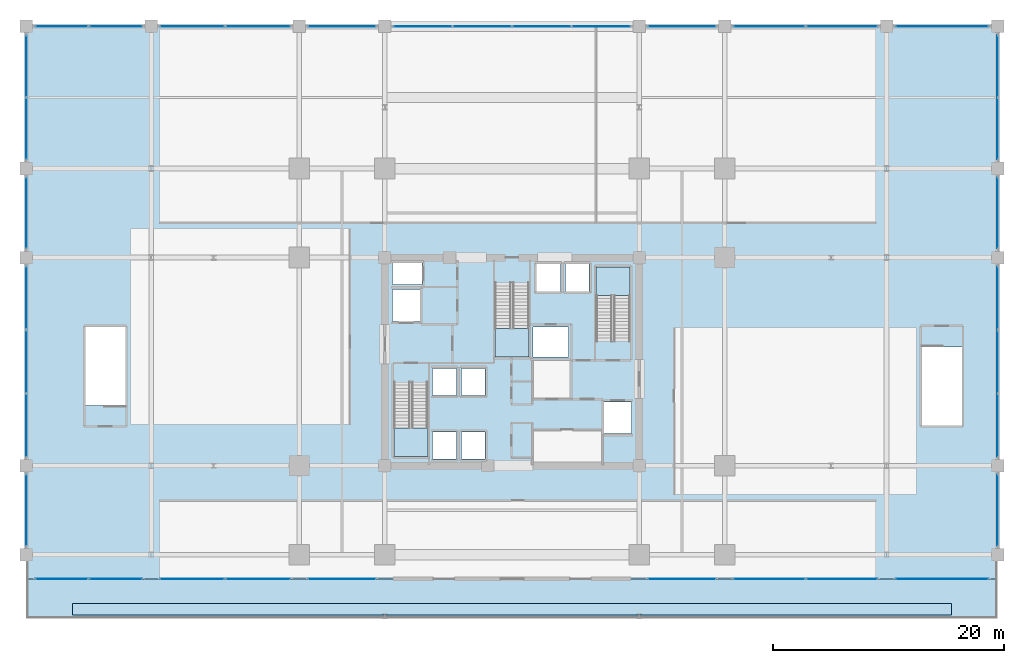
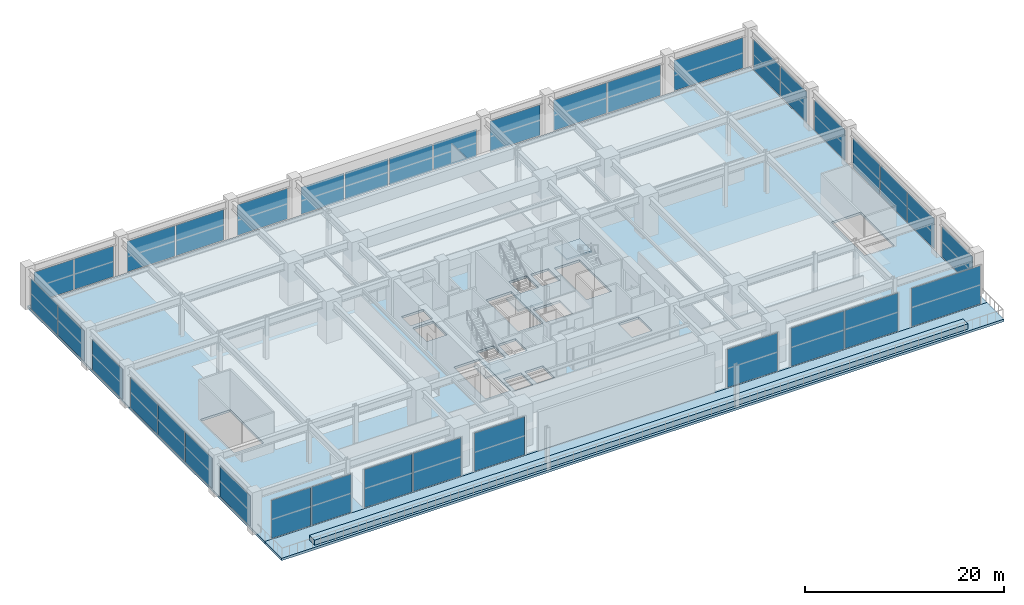
# One storey, part 29 of 35: 36 plates, 6 slabs, 24 elements without a shape of their own.
"""IFC4 building model written with IfcOpenShell, lengths in metres."""

from ifc_helpers import new_model, si_unit, direction, frame, origin, origin_2d, place, context, subcontext, project, spatial, polyline, rectangle, outline, extrude, material, layer, layer_set, type_object, element, aggregate, save


model = new_model("IFC4")

# Units and contexts
model_context = context("Model", 3, precision=1e-05, world=origin(), true_north=direction((0.0, 1.0)))
body_context = subcontext(model_context, "Body", "Model", "MODEL_VIEW")
ifc_project = project(units=[si_unit("LENGTHUNIT", "METRE"), si_unit("AREAUNIT", "SQUARE_METRE"), si_unit("VOLUMEUNIT", "CUBIC_METRE"), si_unit("PLANEANGLEUNIT", "RADIAN"), si_unit("MASSUNIT", "GRAM", prefix="KILO")], contexts=[model_context])

# Site, building, storey
site_placement = place(None, origin())
site = spatial("IfcSite", under=ifc_project, at=site_placement, CompositionType="ELEMENT")
building_placement = place(site_placement, origin())
building = spatial("IfcBuilding", under=site, at=building_placement, Name="Kovane Verandah Tower", CompositionType="ELEMENT")
storey_placement = place(building_placement, frame((0.0, 0.0, 16.39990234375)))
storey = spatial("IfcBuildingStorey", under=building, at=storey_placement, Name="L03", CompositionType="ELEMENT", Elevation=16.39990234375)

# Curtain wall, plates
ifc_material_1 = material(Name="Champagne Anodised Aluminium Frame with Low-E Clear Laminated Glass", Category="aluminium")
curtain_wall_type = type_object("IfcCurtainWallType", Name="CW-SYS-01-POD", PredefinedType="NOTDEFINED", material=ifc_material_1)
curtain_wall_1_placement = place(storey_placement, origin())
curtain_wall_1 = element("IfcCurtainWall", 1, at=curtain_wall_1_placement, inside=storey, type_object=curtain_wall_type, Name="L03 South Podium Curtain Wall Bay 1.1", PredefinedType="NOTDEFINED")
ifc_material_2 = material(Name="Clear Low-E Laminated Double Glazing", Category="glass")
ifc_layer_1 = layer(ifc_material_2, 0.031982421875)
ifc_layer_set_1 = layer_set([ifc_layer_1], Name="Clear Low-E Laminated Double Glazing")
plate_type = type_object("IfcPlateType", Name="PL-CW-VIS-32", PredefinedType="CURTAIN_PANEL", material=ifc_layer_set_1)
plate_1_placement = place(storey_placement, frame((1.06005859375, 8.699951171875, 0.10009765625), z_axis=(0.0, 0.0, 1.0), x_axis=(1.0, 0.0, 0.0)))
plate_1 = element("IfcPlate", 2, at=plate_1_placement, type_object=plate_type, Name="L03 South Podium Curtain Wall Bay 1.1 Full-Height Vision Panel 1", PredefinedType="CURTAIN_PANEL", context=body_context, shape_type="SweptSolid", body=[
    extrude(rectangle(XDim=4.5400390625, YDim=0.031982421875, at=origin_2d()), origin(), (0.0, 0.0, 1.0), 4.699951171875),
])
plate_2_placement = place(storey_placement, frame((5.739990234375, 8.699951171875, 0.10009765625), z_axis=(0.0, 0.0, 1.0), x_axis=(1.0, 0.0, 0.0)))
plate_2 = element("IfcPlate", 3, at=plate_2_placement, type_object=plate_type, Name="L03 South Podium Curtain Wall Bay 1.1 Full-Height Vision Panel 2", PredefinedType="CURTAIN_PANEL", context=body_context, shape_type="SweptSolid", body=[
    extrude(rectangle(XDim=4.5400390625, YDim=0.031982421875, at=origin_2d()), origin(), (0.0, 0.0, 1.0), 4.699951171875),
])
aggregate(curtain_wall_1, [plate_1, plate_2])

curtain_wall_2_placement = place(storey_placement, origin())
curtain_wall_2 = element("IfcCurtainWall", 4, at=curtain_wall_2_placement, inside=storey, type_object=curtain_wall_type, Name="L03 South Podium Curtain Wall Bay 2.1", PredefinedType="NOTDEFINED")
plate_3_placement = place(storey_placement, frame((12.360107421875, 8.699951171875, 0.10009765625), z_axis=(0.0, 0.0, 1.0), x_axis=(1.0, 0.0, 0.0)))
plate_3 = element("IfcPlate", 5, at=plate_3_placement, type_object=plate_type, Name="L03 South Podium Curtain Wall Bay 2.1 Full-Height Vision Panel 1", PredefinedType="CURTAIN_PANEL", context=body_context, shape_type="SweptSolid", body=[
    extrude(rectangle(XDim=5.5400390625, YDim=0.031982421875, at=origin_2d()), origin(), (0.0, 0.0, 1.0), 4.699951171875),
])
plate_4_placement = place(storey_placement, frame((18.0400390625, 8.699951171875, 0.10009765625), z_axis=(0.0, 0.0, 1.0), x_axis=(1.0, 0.0, 0.0)))
plate_4 = element("IfcPlate", 6, at=plate_4_placement, type_object=plate_type, Name="L03 South Podium Curtain Wall Bay 2.1 Full-Height Vision Panel 2", PredefinedType="CURTAIN_PANEL", context=body_context, shape_type="SweptSolid", body=[
    extrude(rectangle(XDim=5.5400390625, YDim=0.031982421875, at=origin_2d()), origin(), (0.0, 0.0, 1.0), 4.699951171875),
])
aggregate(curtain_wall_2, [plate_3, plate_4])

# Curtain wall, plate
curtain_wall_3_placement = place(storey_placement, origin())
curtain_wall_3 = element("IfcCurtainWall", 7, at=curtain_wall_3_placement, inside=storey, type_object=curtain_wall_type, Name="L03 South Podium Curtain Wall Bay 3.1", PredefinedType="NOTDEFINED")
plate_5_placement = place(storey_placement, frame((25.300048828125, 8.699951171875, 0.10009765625), z_axis=(0.0, 0.0, 1.0), x_axis=(1.0, 0.0, 0.0)))
plate_5 = element("IfcPlate", 8, at=plate_5_placement, type_object=plate_type, Name="L03 South Podium Curtain Wall Bay 3.1 Full-Height Vision Panel 1", PredefinedType="CURTAIN_PANEL", context=body_context, shape_type="SweptSolid", body=[
    extrude(rectangle(XDim=5.820068359375, YDim=0.031982421875, at=origin_2d()), origin(), (0.0, 0.0, 1.0), 4.699951171875),
])
aggregate(curtain_wall_3, [plate_5])

curtain_wall_4_placement = place(storey_placement, origin())
curtain_wall_4 = element("IfcCurtainWall", 9, at=curtain_wall_4_placement, inside=storey, type_object=curtain_wall_type, Name="L03 South Podium Curtain Wall Bay 5.1", PredefinedType="NOTDEFINED")
plate_6_placement = place(storey_placement, frame((54.699951171875, 8.699951171875, 0.10009765625), z_axis=(0.0, 0.0, 1.0), x_axis=(1.0, 0.0, 0.0)))
plate_6 = element("IfcPlate", 10, at=plate_6_placement, type_object=plate_type, Name="L03 South Podium Curtain Wall Bay 5.1 Full-Height Vision Panel 1", PredefinedType="CURTAIN_PANEL", context=body_context, shape_type="SweptSolid", body=[
    extrude(rectangle(XDim=5.820068359375, YDim=0.031982421875, at=origin_2d()), origin(), (0.0, 0.0, 1.0), 4.699951171875),
])
aggregate(curtain_wall_4, [plate_6])

# Curtain wall, plates
curtain_wall_5_placement = place(storey_placement, origin())
curtain_wall_5 = element("IfcCurtainWall", 11, at=curtain_wall_5_placement, inside=storey, type_object=curtain_wall_type, Name="L03 South Podium Curtain Wall Bay 6.1", PredefinedType="NOTDEFINED")
plate_7_placement = place(storey_placement, frame((62.260009765625, 8.699951171875, 0.10009765625), z_axis=(0.0, 0.0, 1.0), x_axis=(1.0, 0.0, 0.0)))
plate_7 = element("IfcPlate", 12, at=plate_7_placement, type_object=plate_type, Name="L03 South Podium Curtain Wall Bay 6.1 Full-Height Vision Panel 1", PredefinedType="CURTAIN_PANEL", context=body_context, shape_type="SweptSolid", body=[
    extrude(rectangle(XDim=6.139892578125, YDim=0.031982421875, at=origin_2d()), origin(), (0.0, 0.0, 1.0), 4.699951171875),
])
plate_8_placement = place(storey_placement, frame((68.5400390625, 8.699951171875, 0.10009765625), z_axis=(0.0, 0.0, 1.0), x_axis=(1.0, 0.0, 0.0)))
plate_8 = element("IfcPlate", 13, at=plate_8_placement, type_object=plate_type, Name="L03 South Podium Curtain Wall Bay 6.1 Full-Height Vision Panel 2", PredefinedType="CURTAIN_PANEL", context=body_context, shape_type="SweptSolid", body=[
    extrude(rectangle(XDim=6.139892578125, YDim=0.031982421875, at=origin_2d()), origin(), (0.0, 0.0, 1.0), 4.699951171875),
])
aggregate(curtain_wall_5, [plate_7, plate_8])

# Curtain wall, plate
curtain_wall_6_placement = place(storey_placement, origin())
curtain_wall_6 = element("IfcCurtainWall", 14, at=curtain_wall_6_placement, inside=storey, type_object=curtain_wall_type, Name="L03 South Podium Curtain Wall Bay 7.1", PredefinedType="NOTDEFINED")
plate_9_placement = place(storey_placement, frame((77.199951171875, 8.699951171875, 0.10009765625), z_axis=(0.0, 0.0, 1.0), x_axis=(1.0, 0.0, 0.0)))
plate_9 = element("IfcPlate", 15, at=plate_9_placement, type_object=plate_type, Name="L03 South Podium Curtain Wall Bay 7.1 Full-Height Vision Panel 1", PredefinedType="CURTAIN_PANEL", context=body_context, shape_type="SweptSolid", body=[
    extrude(rectangle(XDim=8.02001953125, YDim=0.031982421875, at=origin_2d()), origin(), (0.0, 0.0, 1.0), 4.699951171875),
])
aggregate(curtain_wall_6, [plate_9])

# Curtain wall, plates
curtain_wall_7_placement = place(storey_placement, origin())
curtain_wall_7 = element("IfcCurtainWall", 16, at=curtain_wall_7_placement, inside=storey, type_object=curtain_wall_type, Name="L03 North Podium Curtain Wall Bay 1", PredefinedType="NOTDEFINED")
plate_10_placement = place(storey_placement, frame((5.739990234375, 56.5, 0.10009765625), z_axis=(0.0, 0.0, 1.0), x_axis=(-1.0, 0.0, 0.0)))
plate_10 = element("IfcPlate", 17, at=plate_10_placement, type_object=plate_type, Name="L03 North Podium Curtain Wall Bay 1 Full-Height Vision Panel 1", PredefinedType="CURTAIN_PANEL", context=body_context, shape_type="SweptSolid", body=[
    extrude(rectangle(XDim=4.5400390625, YDim=0.031982421875, at=origin_2d()), origin(), (0.0, 0.0, 1.0), 3.759033203125),
])
plate_11_placement = place(storey_placement, frame((1.06005859375, 56.5, 0.10009765625), z_axis=(0.0, 0.0, 1.0), x_axis=(-1.0, 0.0, 0.0)))
plate_11 = element("IfcPlate", 18, at=plate_11_placement, type_object=plate_type, Name="L03 North Podium Curtain Wall Bay 1 Full-Height Vision Panel 2", PredefinedType="CURTAIN_PANEL", context=body_context, shape_type="SweptSolid", body=[
    extrude(rectangle(XDim=4.5400390625, YDim=0.031982421875, at=origin_2d()), origin(), (0.0, 0.0, 1.0), 3.759033203125),
])
aggregate(curtain_wall_7, [plate_10, plate_11])

curtain_wall_8_placement = place(storey_placement, origin())
curtain_wall_8 = element("IfcCurtainWall", 19, at=curtain_wall_8_placement, inside=storey, type_object=curtain_wall_type, Name="L03 North Podium Curtain Wall Bay 2", PredefinedType="NOTDEFINED")
plate_12_placement = place(storey_placement, frame((18.0400390625, 56.5, 0.10009765625), z_axis=(0.0, 0.0, 1.0), x_axis=(-1.0, 0.0, 0.0)))
plate_12 = element("IfcPlate", 20, at=plate_12_placement, type_object=plate_type, Name="L03 North Podium Curtain Wall Bay 2 Full-Height Vision Panel 1", PredefinedType="CURTAIN_PANEL", context=body_context, shape_type="SweptSolid", body=[
    extrude(rectangle(XDim=5.5400390625, YDim=0.031982421875, at=origin_2d()), origin(), (0.0, 0.0, 1.0), 3.759033203125),
])
plate_13_placement = place(storey_placement, frame((12.360107421875, 56.5, 0.10009765625), z_axis=(0.0, 0.0, 1.0), x_axis=(-1.0, 0.0, 0.0)))
plate_13 = element("IfcPlate", 21, at=plate_13_placement, type_object=plate_type, Name="L03 North Podium Curtain Wall Bay 2 Full-Height Vision Panel 2", PredefinedType="CURTAIN_PANEL", context=body_context, shape_type="SweptSolid", body=[
    extrude(rectangle(XDim=5.5400390625, YDim=0.031982421875, at=origin_2d()), origin(), (0.0, 0.0, 1.0), 3.759033203125),
])
aggregate(curtain_wall_8, [plate_12, plate_13])

# Curtain wall, plate
curtain_wall_9_placement = place(storey_placement, origin())
curtain_wall_9 = element("IfcCurtainWall", 22, at=curtain_wall_9_placement, inside=storey, type_object=curtain_wall_type, Name="L03 North Podium Curtain Wall Bay 3", PredefinedType="NOTDEFINED")
plate_14_placement = place(storey_placement, frame((25.300048828125, 56.5, 0.10009765625), z_axis=(0.0, 0.0, 1.0), x_axis=(-1.0, 0.0, 0.0)))
plate_14 = element("IfcPlate", 23, at=plate_14_placement, type_object=plate_type, Name="L03 North Podium Curtain Wall Bay 3 Full-Height Vision Panel 1", PredefinedType="CURTAIN_PANEL", context=body_context, shape_type="SweptSolid", body=[
    extrude(rectangle(XDim=5.820068359375, YDim=0.031982421875, at=origin_2d()), origin(), (0.0, 0.0, 1.0), 3.759033203125),
])
aggregate(curtain_wall_9, [plate_14])

# Curtain wall, plates
curtain_wall_10_placement = place(storey_placement, origin())
curtain_wall_10 = element("IfcCurtainWall", 24, at=curtain_wall_10_placement, inside=storey, type_object=curtain_wall_type, Name="L03 North Podium Curtain Wall Bay 4", PredefinedType="NOTDEFINED")
plate_15_placement = place(storey_placement, frame((47.7099609375, 56.5, 0.10009765625), z_axis=(0.0, 0.0, 1.0), x_axis=(-1.0, 0.0, 0.0)))
plate_15 = element("IfcPlate", 25, at=plate_15_placement, type_object=plate_type, Name="L03 North Podium Curtain Wall Bay 4 Full-Height Vision Panel 1", PredefinedType="CURTAIN_PANEL", context=body_context, shape_type="SweptSolid", body=[
    extrude(rectangle(XDim=5.0, YDim=0.031982421875, at=origin_2d()), origin(), (0.0, 0.0, 1.0), 3.330078125),
])
plate_16_placement = place(storey_placement, frame((42.570068359375, 56.5, 0.10009765625), z_axis=(0.0, 0.0, 1.0), x_axis=(-1.0, 0.0, 0.0)))
plate_16 = element("IfcPlate", 26, at=plate_16_placement, type_object=plate_type, Name="L03 North Podium Curtain Wall Bay 4 Full-Height Vision Panel 2", PredefinedType="CURTAIN_PANEL", context=body_context, shape_type="SweptSolid", body=[
    extrude(rectangle(XDim=5.0, YDim=0.031982421875, at=origin_2d()), origin(), (0.0, 0.0, 1.0), 3.330078125),
])
plate_17_placement = place(storey_placement, frame((37.429931640625, 56.5, 0.10009765625), z_axis=(0.0, 0.0, 1.0), x_axis=(-1.0, 0.0, 0.0)))
plate_17 = element("IfcPlate", 27, at=plate_17_placement, type_object=plate_type, Name="L03 North Podium Curtain Wall Bay 4 Full-Height Vision Panel 3", PredefinedType="CURTAIN_PANEL", context=body_context, shape_type="SweptSolid", body=[
    extrude(rectangle(XDim=5.0, YDim=0.031982421875, at=origin_2d()), origin(), (0.0, 0.0, 1.0), 3.330078125),
])
plate_18_placement = place(storey_placement, frame((32.2900390625, 56.5, 0.10009765625), z_axis=(0.0, 0.0, 1.0), x_axis=(-1.0, 0.0, 0.0)))
plate_18 = element("IfcPlate", 28, at=plate_18_placement, type_object=plate_type, Name="L03 North Podium Curtain Wall Bay 4 Full-Height Vision Panel 4", PredefinedType="CURTAIN_PANEL", context=body_context, shape_type="SweptSolid", body=[
    extrude(rectangle(XDim=5.0, YDim=0.031982421875, at=origin_2d()), origin(), (0.0, 0.0, 1.0), 3.330078125),
])
aggregate(curtain_wall_10, [plate_15, plate_16, plate_17, plate_18])

# Curtain wall, plate
curtain_wall_11_placement = place(storey_placement, origin())
curtain_wall_11 = element("IfcCurtainWall", 29, at=curtain_wall_11_placement, inside=storey, type_object=curtain_wall_type, Name="L03 North Podium Curtain Wall Bay 5", PredefinedType="NOTDEFINED")
plate_19_placement = place(storey_placement, frame((54.699951171875, 56.5, 0.10009765625), z_axis=(0.0, 0.0, 1.0), x_axis=(-1.0, 0.0, 0.0)))
plate_19 = element("IfcPlate", 30, at=plate_19_placement, type_object=plate_type, Name="L03 North Podium Curtain Wall Bay 5 Full-Height Vision Panel 1", PredefinedType="CURTAIN_PANEL", context=body_context, shape_type="SweptSolid", body=[
    extrude(rectangle(XDim=5.820068359375, YDim=0.031982421875, at=origin_2d()), origin(), (0.0, 0.0, 1.0), 3.759033203125),
])
aggregate(curtain_wall_11, [plate_19])

# Curtain wall, plates
curtain_wall_12_placement = place(storey_placement, origin())
curtain_wall_12 = element("IfcCurtainWall", 31, at=curtain_wall_12_placement, inside=storey, type_object=curtain_wall_type, Name="L03 North Podium Curtain Wall Bay 6", PredefinedType="NOTDEFINED")
plate_20_placement = place(storey_placement, frame((68.5400390625, 56.5, 0.10009765625), z_axis=(0.0, 0.0, 1.0), x_axis=(-1.0, 0.0, 0.0)))
plate_20 = element("IfcPlate", 32, at=plate_20_placement, type_object=plate_type, Name="L03 North Podium Curtain Wall Bay 6 Full-Height Vision Panel 1", PredefinedType="CURTAIN_PANEL", context=body_context, shape_type="SweptSolid", body=[
    extrude(rectangle(XDim=6.139892578125, YDim=0.031982421875, at=origin_2d()), origin(), (0.0, 0.0, 1.0), 3.759033203125),
])
plate_21_placement = place(storey_placement, frame((62.260009765625, 56.5, 0.10009765625), z_axis=(0.0, 0.0, 1.0), x_axis=(-1.0, 0.0, 0.0)))
plate_21 = element("IfcPlate", 33, at=plate_21_placement, type_object=plate_type, Name="L03 North Podium Curtain Wall Bay 6 Full-Height Vision Panel 2", PredefinedType="CURTAIN_PANEL", context=body_context, shape_type="SweptSolid", body=[
    extrude(rectangle(XDim=6.139892578125, YDim=0.031982421875, at=origin_2d()), origin(), (0.0, 0.0, 1.0), 3.759033203125),
])
aggregate(curtain_wall_12, [plate_20, plate_21])

# Curtain wall, plate
curtain_wall_13_placement = place(storey_placement, origin())
curtain_wall_13 = element("IfcCurtainWall", 34, at=curtain_wall_13_placement, inside=storey, type_object=curtain_wall_type, Name="L03 North Podium Curtain Wall Bay 7", PredefinedType="NOTDEFINED")
plate_22_placement = place(storey_placement, frame((77.199951171875, 56.5, 0.10009765625), z_axis=(0.0, 0.0, 1.0), x_axis=(-1.0, 0.0, 0.0)))
plate_22 = element("IfcPlate", 35, at=plate_22_placement, type_object=plate_type, Name="L03 North Podium Curtain Wall Bay 7 Full-Height Vision Panel 1", PredefinedType="CURTAIN_PANEL", context=body_context, shape_type="SweptSolid", body=[
    extrude(rectangle(XDim=8.02001953125, YDim=0.031982421875, at=origin_2d()), origin(), (0.0, 0.0, 1.0), 3.759033203125),
])
aggregate(curtain_wall_13, [plate_22])

curtain_wall_14_placement = place(storey_placement, origin())
curtain_wall_14 = element("IfcCurtainWall", 36, at=curtain_wall_14_placement, inside=storey, type_object=curtain_wall_type, Name="L03 West Podium Curtain Wall Bay 2", PredefinedType="NOTDEFINED")
plate_23_placement = place(storey_placement, frame((-2.0, 14.64990234375, 0.10009765625), z_axis=(0.0, 0.0, 1.0), x_axis=(0.0, -1.0, 0.0)))
plate_23 = element("IfcPlate", 37, at=plate_23_placement, type_object=plate_type, Name="L03 West Podium Curtain Wall Bay 2 Full-Height Vision Panel 1", PredefinedType="CURTAIN_PANEL", context=body_context, shape_type="SweptSolid", body=[
    extrude(rectangle(XDim=6.1201171875, YDim=0.031982421875, at=origin_2d()), origin(), (0.0, 0.0, 1.0), 3.759033203125),
])
aggregate(curtain_wall_14, [plate_23])

curtain_wall_15_placement = place(storey_placement, origin())
curtain_wall_15 = element("IfcCurtainWall", 38, at=curtain_wall_15_placement, inside=storey, type_object=curtain_wall_type, Name="L03 East Podium Curtain Wall Bay 2", PredefinedType="NOTDEFINED")
plate_24_placement = place(storey_placement, frame((82.0, 14.64990234375, 0.10009765625), z_axis=(0.0, 0.0, 1.0), x_axis=(0.0, 1.0, 0.0)))
plate_24 = element("IfcPlate", 39, at=plate_24_placement, type_object=plate_type, Name="L03 East Podium Curtain Wall Bay 2 Full-Height Vision Panel 1", PredefinedType="CURTAIN_PANEL", context=body_context, shape_type="SweptSolid", body=[
    extrude(rectangle(XDim=6.1201171875, YDim=0.031982421875, at=origin_2d()), origin(), (0.0, 0.0, 1.0), 3.759033203125),
])
aggregate(curtain_wall_15, [plate_24])

# Curtain wall, plates
curtain_wall_16_placement = place(storey_placement, origin())
curtain_wall_16 = element("IfcCurtainWall", 40, at=curtain_wall_16_placement, inside=storey, type_object=curtain_wall_type, Name="L03 West Podium Curtain Wall Bay 3", PredefinedType="NOTDEFINED")
plate_25_placement = place(storey_placement, frame((-2.0, 33.02001953125, 0.10009765625), z_axis=(0.0, 0.0, 1.0), x_axis=(0.0, -1.0, 0.0)))
plate_25 = element("IfcPlate", 41, at=plate_25_placement, type_object=plate_type, Name="L03 West Podium Curtain Wall Bay 3 Full-Height Vision Panel 1", PredefinedType="CURTAIN_PANEL", context=body_context, shape_type="SweptSolid", body=[
    extrude(rectangle(XDim=5.3798828125, YDim=0.031982421875, at=origin_2d()), origin(), (0.0, 0.0, 1.0), 3.759033203125),
])
plate_26_placement = place(storey_placement, frame((-2.0, 27.5, 0.10009765625), z_axis=(0.0, 0.0, 1.0), x_axis=(0.0, -1.0, 0.0)))
plate_26 = element("IfcPlate", 42, at=plate_26_placement, type_object=plate_type, Name="L03 West Podium Curtain Wall Bay 3 Full-Height Vision Panel 2", PredefinedType="CURTAIN_PANEL", context=body_context, shape_type="SweptSolid", body=[
    extrude(rectangle(XDim=5.3798828125, YDim=0.031982421875, at=origin_2d()), origin(), (0.0, 0.0, 1.0), 3.759033203125),
])
plate_27_placement = place(storey_placement, frame((-2.0, 21.97998046875, 0.10009765625), z_axis=(0.0, 0.0, 1.0), x_axis=(0.0, -1.0, 0.0)))
plate_27 = element("IfcPlate", 43, at=plate_27_placement, type_object=plate_type, Name="L03 West Podium Curtain Wall Bay 3 Full-Height Vision Panel 3", PredefinedType="CURTAIN_PANEL", context=body_context, shape_type="SweptSolid", body=[
    extrude(rectangle(XDim=5.3798828125, YDim=0.031982421875, at=origin_2d()), origin(), (0.0, 0.0, 1.0), 3.759033203125),
])
aggregate(curtain_wall_16, [plate_25, plate_26, plate_27])

curtain_wall_17_placement = place(storey_placement, origin())
curtain_wall_17 = element("IfcCurtainWall", 44, at=curtain_wall_17_placement, inside=storey, type_object=curtain_wall_type, Name="L03 East Podium Curtain Wall Bay 3", PredefinedType="NOTDEFINED")
plate_28_placement = place(storey_placement, frame((82.0, 21.97998046875, 0.10009765625), z_axis=(0.0, 0.0, 1.0), x_axis=(0.0, 1.0, 0.0)))
plate_28 = element("IfcPlate", 45, at=plate_28_placement, type_object=plate_type, Name="L03 East Podium Curtain Wall Bay 3 Full-Height Vision Panel 1", PredefinedType="CURTAIN_PANEL", context=body_context, shape_type="SweptSolid", body=[
    extrude(rectangle(XDim=5.3798828125, YDim=0.031982421875, at=origin_2d()), origin(), (0.0, 0.0, 1.0), 3.759033203125),
])
plate_29_placement = place(storey_placement, frame((82.0, 27.5, 0.10009765625), z_axis=(0.0, 0.0, 1.0), x_axis=(0.0, 1.0, 0.0)))
plate_29 = element("IfcPlate", 46, at=plate_29_placement, type_object=plate_type, Name="L03 East Podium Curtain Wall Bay 3 Full-Height Vision Panel 2", PredefinedType="CURTAIN_PANEL", context=body_context, shape_type="SweptSolid", body=[
    extrude(rectangle(XDim=5.3798828125, YDim=0.031982421875, at=origin_2d()), origin(), (0.0, 0.0, 1.0), 3.759033203125),
])
plate_30_placement = place(storey_placement, frame((82.0, 33.02001953125, 0.10009765625), z_axis=(0.0, 0.0, 1.0), x_axis=(0.0, 1.0, 0.0)))
plate_30 = element("IfcPlate", 47, at=plate_30_placement, type_object=plate_type, Name="L03 East Podium Curtain Wall Bay 3 Full-Height Vision Panel 3", PredefinedType="CURTAIN_PANEL", context=body_context, shape_type="SweptSolid", body=[
    extrude(rectangle(XDim=5.3798828125, YDim=0.031982421875, at=origin_2d()), origin(), (0.0, 0.0, 1.0), 3.759033203125),
])
aggregate(curtain_wall_17, [plate_28, plate_29, plate_30])

# Curtain wall, plate
curtain_wall_18_placement = place(storey_placement, origin())
curtain_wall_18 = element("IfcCurtainWall", 48, at=curtain_wall_18_placement, inside=storey, type_object=curtain_wall_type, Name="L03 West Podium Curtain Wall Bay 4", PredefinedType="NOTDEFINED")
plate_31_placement = place(storey_placement, frame((-2.0, 40.35009765625, 0.10009765625), z_axis=(0.0, 0.0, 1.0), x_axis=(0.0, -1.0, 0.0)))
plate_31 = element("IfcPlate", 49, at=plate_31_placement, type_object=plate_type, Name="L03 West Podium Curtain Wall Bay 4 Full-Height Vision Panel 1", PredefinedType="CURTAIN_PANEL", context=body_context, shape_type="SweptSolid", body=[
    extrude(rectangle(XDim=6.1201171875, YDim=0.031982421875, at=origin_2d()), origin(), (0.0, 0.0, 1.0), 3.759033203125),
])
aggregate(curtain_wall_18, [plate_31])

curtain_wall_19_placement = place(storey_placement, origin())
curtain_wall_19 = element("IfcCurtainWall", 50, at=curtain_wall_19_placement, inside=storey, type_object=curtain_wall_type, Name="L03 East Podium Curtain Wall Bay 4", PredefinedType="NOTDEFINED")
plate_32_placement = place(storey_placement, frame((82.0, 40.35009765625, 0.10009765625), z_axis=(0.0, 0.0, 1.0), x_axis=(0.0, 1.0, 0.0)))
plate_32 = element("IfcPlate", 51, at=plate_32_placement, type_object=plate_type, Name="L03 East Podium Curtain Wall Bay 4 Full-Height Vision Panel 1", PredefinedType="CURTAIN_PANEL", context=body_context, shape_type="SweptSolid", body=[
    extrude(rectangle(XDim=6.1201171875, YDim=0.031982421875, at=origin_2d()), origin(), (0.0, 0.0, 1.0), 3.759033203125),
])
aggregate(curtain_wall_19, [plate_32])

# Curtain wall, plates
curtain_wall_20_placement = place(storey_placement, origin())
curtain_wall_20 = element("IfcCurtainWall", 52, at=curtain_wall_20_placement, inside=storey, type_object=curtain_wall_type, Name="L03 West Podium Curtain Wall Bay 5", PredefinedType="NOTDEFINED")
plate_33_placement = place(storey_placement, frame((-2.0, 53.06494140625, 0.10009765625), z_axis=(0.0, 0.0, 1.0), x_axis=(0.0, -1.0, 0.0)))
plate_33 = element("IfcPlate", 53, at=plate_33_placement, type_object=plate_type, Name="L03 West Podium Curtain Wall Bay 5 Full-Height Vision Panel 1", PredefinedType="CURTAIN_PANEL", context=body_context, shape_type="SweptSolid", body=[
    extrude(rectangle(XDim=5.2900390625, YDim=0.031982421875, at=origin_2d()), origin(), (0.0, 0.0, 1.0), 3.759033203125),
])
plate_34_placement = place(storey_placement, frame((-2.0, 47.635009765625, 0.10009765625), z_axis=(0.0, 0.0, 1.0), x_axis=(0.0, -1.0, 0.0)))
plate_34 = element("IfcPlate", 54, at=plate_34_placement, type_object=plate_type, Name="L03 West Podium Curtain Wall Bay 5 Full-Height Vision Panel 2", PredefinedType="CURTAIN_PANEL", context=body_context, shape_type="SweptSolid", body=[
    extrude(rectangle(XDim=5.2900390625, YDim=0.031982421875, at=origin_2d()), origin(), (0.0, 0.0, 1.0), 3.759033203125),
])
aggregate(curtain_wall_20, [plate_33, plate_34])

curtain_wall_21_placement = place(storey_placement, origin())
curtain_wall_21 = element("IfcCurtainWall", 55, at=curtain_wall_21_placement, inside=storey, type_object=curtain_wall_type, Name="L03 East Podium Curtain Wall Bay 5", PredefinedType="NOTDEFINED")
plate_35_placement = place(storey_placement, frame((82.0, 47.635009765625, 0.10009765625), z_axis=(0.0, 0.0, 1.0), x_axis=(0.0, 1.0, 0.0)))
plate_35 = element("IfcPlate", 56, at=plate_35_placement, type_object=plate_type, Name="L03 East Podium Curtain Wall Bay 5 Full-Height Vision Panel 1", PredefinedType="CURTAIN_PANEL", context=body_context, shape_type="SweptSolid", body=[
    extrude(rectangle(XDim=5.2900390625, YDim=0.031982421875, at=origin_2d()), origin(), (0.0, 0.0, 1.0), 3.759033203125),
])
plate_36_placement = place(storey_placement, frame((82.0, 53.06494140625, 0.10009765625), z_axis=(0.0, 0.0, 1.0), x_axis=(0.0, 1.0, 0.0)))
plate_36 = element("IfcPlate", 57, at=plate_36_placement, type_object=plate_type, Name="L03 East Podium Curtain Wall Bay 5 Full-Height Vision Panel 2", PredefinedType="CURTAIN_PANEL", context=body_context, shape_type="SweptSolid", body=[
    extrude(rectangle(XDim=5.2900390625, YDim=0.031982421875, at=origin_2d()), origin(), (0.0, 0.0, 1.0), 3.759033203125),
])
aggregate(curtain_wall_21, [plate_35, plate_36])

# Slab
ifc_material_3 = material(Name="Concrete C45/55", Category="concrete")
ifc_layer_2 = layer(ifc_material_3, 0.300048828125)
ifc_layer_set_2 = layer_set([ifc_layer_2], Name="Concrete C45/55")
slab_type_1 = type_object("IfcSlabType", Name="SL-GDN-300", PredefinedType="ROOF", material=ifc_layer_set_2)
slab_1_placement = place(storey_placement, frame((0.0, 0.0, -0.2998046875)))
element("IfcSlab", 58, at=slab_1_placement, inside=storey, type_object=slab_type_1, Name="L03 Cascading Garden Step Terrace", PredefinedType="ROOF", context=body_context, shape_type="SweptSolid", body=[
    extrude(outline(polyline([(-2.0, 5.300048828125), (82.0, 5.300048828125), (82.0, 8.699951171875), (-2.0, 8.699951171875), (-2.0, 5.300048828125)])), origin(), (0.0, 0.0, 1.0), 0.2998046875),
])

# Stair, slab
stair_type = type_object("IfcStairType", Name="ST-CORE-1380", PredefinedType="HALF_TURN_STAIR", material=ifc_material_3)
stair_1_placement = place(storey_placement, origin())
stair_1 = element("IfcStair", 59, at=stair_1_placement, inside=storey, type_object=stair_type, Name="L03 Exit Stair ST-01", PredefinedType="HALF_TURN_STAIR")
ifc_layer_3 = layer(ifc_material_3, 0.199951171875)
ifc_layer_set_3 = layer_set([ifc_layer_3], Name="Concrete C45/55")
slab_type_2 = type_object("IfcSlabType", Name="SL-LAND-200", PredefinedType="LANDING", material=ifc_layer_set_3)
slab_2_placement = place(storey_placement, frame((0.0, 0.0, 2.400146484375)))
slab_2 = element("IfcSlab", 60, at=slab_2_placement, type_object=slab_type_2, Name="ST-01 landing 1", PredefinedType="LANDING", context=body_context, shape_type="SweptSolid", body=[
    extrude(outline(polyline([(29.800048828125, 21.760009765625), (29.800048828125, 19.300048828125), (32.719970703125, 19.300048828125), (32.719970703125, 21.760009765625), (29.800048828125, 21.760009765625)])), origin(), (0.0, 0.0, 1.0), 0.199951171875),
])
aggregate(stair_1, [slab_2])

stair_2_placement = place(storey_placement, origin())
stair_2 = element("IfcStair", 61, at=stair_2_placement, inside=storey, type_object=stair_type, Name="L03 Exit Stair ST-02", PredefinedType="HALF_TURN_STAIR")
slab_3_placement = place(storey_placement, frame((0.0, 0.0, 2.400146484375)))
slab_3 = element("IfcSlab", 62, at=slab_3_placement, type_object=slab_type_2, Name="ST-02 landing 1", PredefinedType="LANDING", context=body_context, shape_type="SweptSolid", body=[
    extrude(outline(polyline([(50.199951171875, 33.239990234375), (50.199951171875, 35.699951171875), (47.280029296875, 35.699951171875), (47.280029296875, 33.239990234375), (50.199951171875, 33.239990234375)])), origin(), (0.0, 0.0, 1.0), 0.199951171875),
])
aggregate(stair_2, [slab_3])

stair_3_placement = place(storey_placement, origin())
stair_3 = element("IfcStair", 63, at=stair_3_placement, inside=storey, type_object=stair_type, Name="L03 Exit Stair ST-03", PredefinedType="HALF_TURN_STAIR")
slab_4_placement = place(storey_placement, frame((0.0, 0.0, 2.400146484375)))
slab_4 = element("IfcSlab", 64, at=slab_4_placement, type_object=slab_type_2, Name="ST-03 landing 1", PredefinedType="LANDING", context=body_context, shape_type="SweptSolid", body=[
    extrude(outline(polyline([(38.5400390625, 30.360107421875), (38.5400390625, 27.89990234375), (41.4599609375, 27.89990234375), (41.4599609375, 30.360107421875), (38.5400390625, 30.360107421875)])), origin(), (0.0, 0.0, 1.0), 0.199951171875),
])
aggregate(stair_3, [slab_4])

# Slabs
ifc_material_4 = material(Name="Architectural Precast Concrete C45/55 Planter Trough", Category="concrete")
ifc_layer_4 = layer(ifc_material_4, 0.219970703125)
ifc_layer_set_4 = layer_set([ifc_layer_4], Name="Architectural Precast Concrete C45/55 Planter Trough")
slab_type_3 = type_object("IfcSlabType", Name="SL-PLANTER-220", PredefinedType="USERDEFINED", material=ifc_layer_set_4)
slab_5_placement = place(storey_placement, origin())
element("IfcSlab", 65, at=slab_5_placement, inside=storey, type_object=slab_type_3, Name="L03 Cascading Terrace Subtropical Planter", ObjectType="PLANTER", PredefinedType="USERDEFINED", context=body_context, shape_type="SweptSolid", body=[
    extrude(outline(polyline([(2.0, 5.60009765625), (78.0, 5.60009765625), (78.0, 6.60009765625), (2.0, 6.60009765625), (2.0, 5.60009765625)])), origin(), (0.0, 0.0, 1.0), 0.650146484375),
])
ifc_layer_5 = layer(ifc_material_3, 0.280029296875)
ifc_layer_set_5 = layer_set([ifc_layer_5], Name="Concrete C45/55")
slab_type_4 = type_object("IfcSlabType", Name="SL-POD-280", PredefinedType="FLOOR", material=ifc_layer_set_5)
slab_6_placement = place(storey_placement, frame((0.0, 0.0, -0.27978515625)))
element("IfcSlab", 66, at=slab_6_placement, inside=storey, type_object=slab_type_4, Name="L03 Structural Floor Slab", PredefinedType="FLOOR", context=body_context, shape_type="SweptSolid", body=[
    extrude(outline(polyline([(-2.0, 8.699951171875), (82.0, 8.699951171875), (82.0, 56.5), (-2.0, 56.5), (-2.0, 8.699951171875)]), holes=[polyline([(29.800048828125, 19.300048828125), (32.719970703125, 19.300048828125), (32.719970703125, 25.705078125), (29.800048828125, 25.705078125), (29.800048828125, 19.300048828125)]), polyline([(47.280029296875, 29.294921875), (50.199951171875, 29.294921875), (50.199951171875, 35.699951171875), (47.280029296875, 35.699951171875), (47.280029296875, 29.294921875)]), polyline([(38.5400390625, 27.89990234375), (41.4599609375, 27.89990234375), (41.4599609375, 34.304931640625), (38.5400390625, 34.304931640625), (38.5400390625, 27.89990234375)]), polyline([(3.10009765625, 23.72509765625), (6.56005859375, 23.72509765625), (6.56005859375, 30.5), (3.10009765625, 30.5), (3.10009765625, 23.72509765625)]), polyline([(75.43994140625, 22.0), (78.89990234375, 22.0), (78.89990234375, 28.77490234375), (75.43994140625, 28.77490234375), (75.43994140625, 22.0)]), polyline([(29.669921875, 30.969970703125), (32.030029296875, 30.969970703125), (32.030029296875, 33.72998046875), (29.669921875, 33.72998046875), (29.669921875, 30.969970703125)]), polyline([(47.969970703125, 21.27001953125), (50.330078125, 21.27001953125), (50.330078125, 24.030029296875), (47.969970703125, 24.030029296875), (47.969970703125, 21.27001953125)]), polyline([(29.669921875, 34.169921875), (32.22998046875, 34.169921875), (32.22998046875, 36.030029296875), (29.669921875, 36.030029296875), (29.669921875, 34.169921875)]), polyline([(33.1201171875, 19.070068359375), (35.179931640625, 19.070068359375), (35.179931640625, 21.429931640625), (33.1201171875, 21.429931640625), (33.1201171875, 19.070068359375)]), polyline([(35.6201171875, 19.070068359375), (37.679931640625, 19.070068359375), (37.679931640625, 21.429931640625), (35.6201171875, 21.429931640625), (35.6201171875, 19.070068359375)]), polyline([(33.1201171875, 24.570068359375), (35.179931640625, 24.570068359375), (35.179931640625, 26.929931640625), (33.1201171875, 26.929931640625), (33.1201171875, 24.570068359375)]), polyline([(35.6201171875, 24.570068359375), (37.679931640625, 24.570068359375), (37.679931640625, 26.929931640625), (35.6201171875, 26.929931640625), (35.6201171875, 24.570068359375)]), polyline([(42.1201171875, 33.570068359375), (44.179931640625, 33.570068359375), (44.179931640625, 35.929931640625), (42.1201171875, 35.929931640625), (42.1201171875, 33.570068359375)]), polyline([(44.6201171875, 33.570068359375), (46.679931640625, 33.570068359375), (46.679931640625, 35.929931640625), (44.6201171875, 35.929931640625), (44.6201171875, 33.570068359375)]), polyline([(41.800048828125, 27.89990234375), (44.89990234375, 27.89990234375), (44.89990234375, 30.5), (41.800048828125, 30.5), (41.800048828125, 27.89990234375)])]), origin(), (0.0, 0.0, 1.0), 0.27978515625),
])

save(model, "model.ifc")
